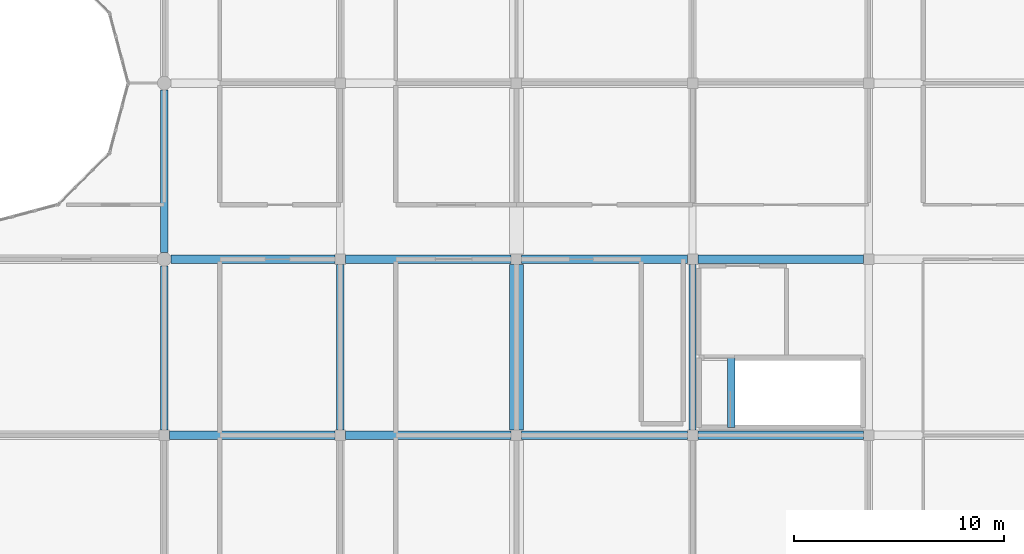
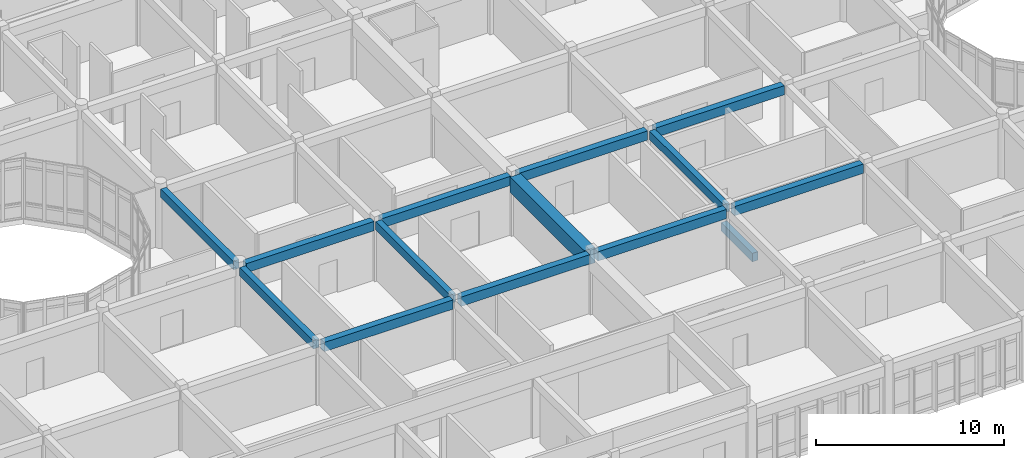
# One storey, part 24 of 119: 14 beams.
"""IFC4 building model written with IfcOpenShell, lengths in metres."""

from ifc_helpers import new_model, si_unit, direction, frame, origin, origin_2d, place, context, subcontext, project, spatial, rectangle, extrude, material, material_profile, profile_set, type_object, element, save


model = new_model("IFC4")

# Units and contexts
model_context = context("Model", 3, precision=1e-05, world=origin(), true_north=direction((0.0, 1.0)))
body_context = subcontext(model_context, "Body", "Model", "MODEL_VIEW")
ifc_project = project(units=[si_unit("LENGTHUNIT", "METRE"), si_unit("AREAUNIT", "SQUARE_METRE"), si_unit("VOLUMEUNIT", "CUBIC_METRE"), si_unit("PLANEANGLEUNIT", "RADIAN"), si_unit("MASSUNIT", "GRAM", prefix="KILO")], contexts=[model_context])

# Site, building, storey
site_placement = place(None, origin())
site = spatial("IfcSite", under=ifc_project, at=site_placement, CompositionType="ELEMENT")
building_placement = place(site_placement, origin())
building = spatial("IfcBuilding", under=site, at=building_placement, Name="Bramfleet General Hospital", CompositionType="ELEMENT")
storey_placement = place(building_placement, frame((0.0, 0.0, 14.39990234375)))
storey = spatial("IfcBuildingStorey", under=building, at=storey_placement, Name="L03", CompositionType="ELEMENT", Elevation=14.39990234375)

# Beams
ifc_material_1 = material(Name="Concrete C35/45", Category="concrete")
ifc_material_profile_1 = material_profile(ifc_material_1, rectangle(XDim=0.35009765625, YDim=0.550048828125, at=origin_2d()), Name="RC BM 550x350")
ifc_profile_set_1 = profile_set([ifc_material_profile_1], Name="Concrete C35/45")
beam_type_1 = type_object("IfcBeamType", Name="BM-RC550", PredefinedType="BEAM", material=ifc_profile_set_1)
beam_1_placement = place(storey_placement, frame((33.60009765625, 67.449951171875, 3.614990234375), z_axis=(0.0, 1.0, 0.0), x_axis=(-1.0, 0.0, 0.0)))
element("IfcBeam", 1, at=beam_1_placement, inside=storey, type_object=beam_type_1, Name="L03 Grid Beam Y 04-08", PredefinedType="BEAM", context=body_context, shape_type="SweptSolid", body=[
    extrude(rectangle(XDim=0.35009765625, YDim=0.550048828125, at=origin_2d()), origin(), (0.0, 0.0, 1.0), 7.824951171875),
])
beam_2_placement = place(storey_placement, frame((33.60009765625, 75.925048828125, 3.614990234375), z_axis=(0.0, 1.0, 0.0), x_axis=(-1.0, 0.0, 0.0)))
element("IfcBeam", 2, at=beam_2_placement, inside=storey, type_object=beam_type_1, Name="L03 Grid Beam Y 04-09", PredefinedType="BEAM", context=body_context, shape_type="SweptSolid", body=[
    extrude(rectangle(XDim=0.35009765625, YDim=0.550048828125, at=origin_2d()), origin(), (0.0, 0.0, 1.0), 7.75),
])
for number, where, z_axis, x_axis, name in (
    (3, (42.0, 67.449951171875, 3.614990234375), (0.0, 1.0, 0.0), (-1.0, 0.0, 0.0), "L03 Grid Beam Y 05-08"),
    (4, (58.800048828125, 67.449951171875, 3.614990234375), (0.0, 1.0, 0.0), (-1.0, 0.0, 0.0), "L03 Grid Beam Y 07-08"),
):
    element("IfcBeam", number, at=place(storey_placement, frame(where, z_axis=z_axis, x_axis=x_axis)), inside=storey, type_object=beam_type_1, Name=name, PredefinedType="BEAM", context=body_context, shape_type="SweptSolid", body=[
        extrude(rectangle(XDim=0.35009765625, YDim=0.550048828125, at=origin_2d()), origin(), (0.0, 0.0, 1.0), 7.900146484375),
    ])
beam_3_placement = place(storey_placement, frame((60.639892578125, 67.580078125, -0.27490234375), z_axis=(0.0, 1.0, 0.0), x_axis=(-1.0, 0.0, 0.0)))
element("IfcBeam", 5, at=beam_3_placement, inside=storey, type_object=beam_type_1, Name="L03 C13 Stairwell Trimmer Beam", PredefinedType="BEAM", context=body_context, shape_type="SweptSolid", body=[
    extrude(rectangle(XDim=0.35009765625, YDim=0.550048828125, at=origin_2d()), origin(), (0.0, 0.0, 1.0), 3.31982421875),
])
ifc_material_profile_2 = material_profile(ifc_material_1, rectangle(XDim=0.39990234375, YDim=0.60009765625, at=origin_2d()), Name="RC BM 600x400")
ifc_profile_set_2 = profile_set([ifc_material_profile_2], Name="Concrete C35/45")
beam_type_2 = type_object("IfcBeamType", Name="BM-RC600", PredefinedType="BEAM", material=ifc_profile_set_2)
beam_4_placement = place(storey_placement, frame((33.85009765625, 67.199951171875, 3.590087890625), z_axis=(1.0, 0.0, 0.0), x_axis=(0.0, 1.0, 0.0)))
element("IfcBeam", 6, at=beam_4_placement, inside=storey, type_object=beam_type_2, Name="L03 Grid Beam X 04-08", PredefinedType="BEAM", context=body_context, shape_type="SweptSolid", body=[
    extrude(rectangle(XDim=0.39990234375, YDim=0.60009765625, at=origin_2d()), origin(), (0.0, 0.0, 1.0), 7.89990234375),
])
beam_5_placement = place(storey_placement, frame((33.925048828125, 75.60009765625, 3.590087890625), z_axis=(1.0, 0.0, 0.0), x_axis=(0.0, 1.0, 0.0)))
element("IfcBeam", 7, at=beam_5_placement, inside=storey, type_object=beam_type_2, Name="L03 Grid Beam X 04-09", PredefinedType="BEAM", context=body_context, shape_type="SweptSolid", body=[
    extrude(rectangle(XDim=0.39990234375, YDim=0.60009765625, at=origin_2d()), origin(), (0.0, 0.0, 1.0), 7.824951171875),
])
for number, where, z_axis, x_axis, name in (
    (8, (42.25, 67.199951171875, 3.590087890625), (1.0, 0.0, 0.0), (0.0, 1.0, 0.0), "L03 Grid Beam X 05-08"),
    (9, (42.25, 75.60009765625, 3.590087890625), (1.0, 0.0, 0.0), (0.0, 1.0, 0.0), "L03 Grid Beam X 05-09"),
):
    element("IfcBeam", number, at=place(storey_placement, frame(where, z_axis=z_axis, x_axis=x_axis)), inside=storey, type_object=beam_type_2, Name=name, PredefinedType="BEAM", context=body_context, shape_type="SweptSolid", body=[
        extrude(rectangle(XDim=0.39990234375, YDim=0.60009765625, at=origin_2d()), origin(), (0.0, 0.0, 1.0), 7.89990234375),
    ])
for number, where, z_axis, x_axis, name in (
    (10, (50.64990234375, 67.199951171875, 3.590087890625), (1.0, 0.0, 0.0), (0.0, 1.0, 0.0), "L03 Grid Beam X 06-08"),
    (11, (50.64990234375, 75.60009765625, 3.590087890625), (1.0, 0.0, 0.0), (0.0, 1.0, 0.0), "L03 Grid Beam X 06-09"),
):
    element("IfcBeam", number, at=place(storey_placement, frame(where, z_axis=z_axis, x_axis=x_axis)), inside=storey, type_object=beam_type_2, Name=name, PredefinedType="BEAM", context=body_context, shape_type="SweptSolid", body=[
        extrude(rectangle(XDim=0.39990234375, YDim=0.60009765625, at=origin_2d()), origin(), (0.0, 0.0, 1.0), 7.900146484375),
    ])
for number, where, z_axis, x_axis, name in (
    (12, (59.050048828125, 67.199951171875, 3.590087890625), (1.0, 0.0, 0.0), (0.0, 1.0, 0.0), "L03 Grid Beam X 07-08"),
    (13, (59.050048828125, 75.60009765625, 3.590087890625), (1.0, 0.0, 0.0), (0.0, 1.0, 0.0), "L03 Grid Beam X 07-09"),
):
    element("IfcBeam", number, at=place(storey_placement, frame(where, z_axis=z_axis, x_axis=x_axis)), inside=storey, type_object=beam_type_2, Name=name, PredefinedType="BEAM", context=body_context, shape_type="SweptSolid", body=[
        extrude(rectangle(XDim=0.39990234375, YDim=0.60009765625, at=origin_2d()), origin(), (0.0, 0.0, 1.0), 7.89990234375),
    ])
ifc_material_2 = material(Name="Concrete C40/50", Category="concrete")
ifc_material_profile_3 = material_profile(ifc_material_2, rectangle(XDim=0.64990234375, YDim=1.0, at=origin_2d()), Name="RC TG 1000x650")
ifc_profile_set_3 = profile_set([ifc_material_profile_3], Name="Concrete C40/50")
beam_type_3 = type_object("IfcBeamType", Name="BM-TG1000", PredefinedType="BEAM", material=ifc_profile_set_3)
beam_6_placement = place(storey_placement, frame((50.39990234375, 67.449951171875, 3.39013671875), z_axis=(0.0, 1.0, 0.0), x_axis=(-1.0, 0.0, 0.0)))
element("IfcBeam", 14, at=beam_6_placement, inside=storey, type_object=beam_type_3, Name="L03 Transfer Girder Y 06-08", PredefinedType="BEAM", context=body_context, shape_type="SweptSolid", body=[
    extrude(rectangle(XDim=0.64990234375, YDim=1.0, at=origin_2d()), origin(), (0.0, 0.0, 1.0), 7.900146484375),
])

save(model, "model.ifc")
